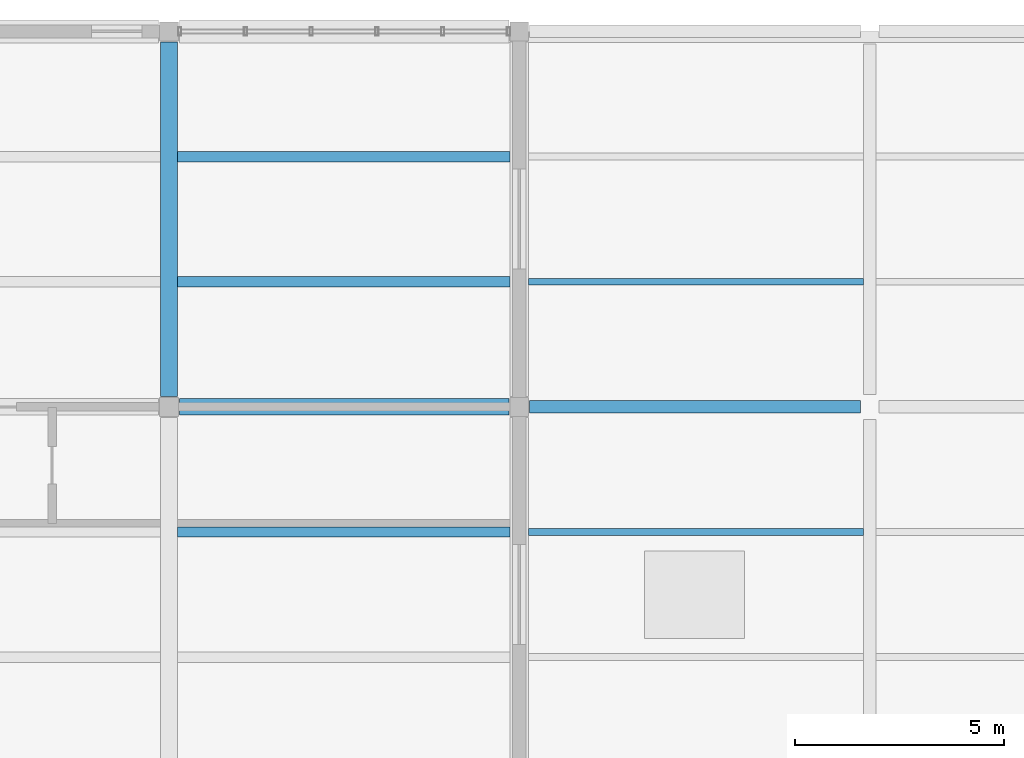
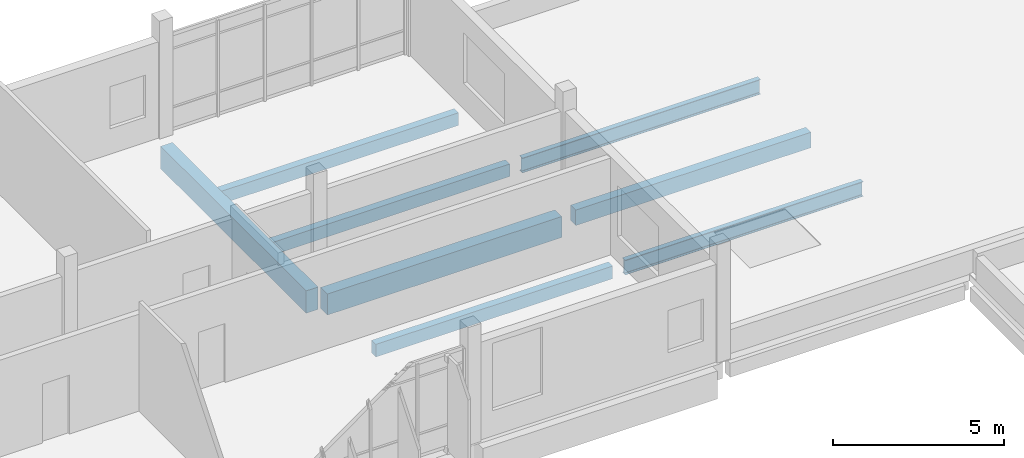
# One storey, part 40 of 62: 8 beams.
"""IFC4 building model written with IfcOpenShell, lengths in metres."""

from ifc_helpers import new_model, si_unit, direction, frame, origin, origin_2d, place, context, subcontext, project, spatial, rectangle, i_section, extrude, material, material_profile, profile_set, type_object, element, save


model = new_model("IFC4")

# Units and contexts
model_context = context("Model", 3, precision=1e-05, world=origin(), true_north=direction((0.0, 1.0)))
body_context = subcontext(model_context, "Body", "Model", "MODEL_VIEW")
ifc_project = project(units=[si_unit("LENGTHUNIT", "METRE"), si_unit("AREAUNIT", "SQUARE_METRE"), si_unit("VOLUMEUNIT", "CUBIC_METRE"), si_unit("PLANEANGLEUNIT", "RADIAN"), si_unit("MASSUNIT", "GRAM", prefix="KILO")], contexts=[model_context])

# Site, building, storey
site_placement = place(None, origin())
site = spatial("IfcSite", under=ifc_project, at=site_placement, CompositionType="ELEMENT")
building_placement = place(site_placement, origin())
building = spatial("IfcBuilding", under=site, at=building_placement, Name="Vireocrest Preparatory School", CompositionType="ELEMENT")
storey_placement = place(building_placement, frame((0.0, 0.0, 17.39990234375)))
storey = spatial("IfcBuildingStorey", under=building, at=storey_placement, Name="L04", CompositionType="ELEMENT", Elevation=17.39990234375)

# Beams
ifc_material_1 = material(Name="Structural steel ASTM A992 Grade 50", Category="steel")
ifc_material_profile_1 = material_profile(ifc_material_1, i_section(OverallWidth=0.166015625, OverallDepth=0.529052734375, WebThickness=0.009765625, FlangeThickness=0.013671875, FilletRadius=0.014892578125, at=origin_2d()), Name="W21X50")
ifc_profile_set_1 = profile_set([ifc_material_profile_1], Name="Structural steel ASTM A992 Grade 50")
beam_type_1 = type_object("IfcBeamType", Name="Pavilion Roof Joist W21X50", PredefinedType="JOIST", material=ifc_profile_set_1)
for number, where, z_axis, x_axis, name in (
    (1, (84.22509765625, 100.800048828125, -0.484375), (1.0, 0.0, 0.0), (0.0, 1.0, 0.0), "Secondary Joist SJ1 L04-1478"),
    (2, (84.22509765625, 106.800048828125, -0.484375), (1.0, 0.0, 0.0), (0.0, 1.0, 0.0), "Secondary Joist SJ1 L04-1479"),
):
    element("IfcBeam", number, at=place(storey_placement, frame(where, z_axis=z_axis, x_axis=x_axis)), inside=storey, type_object=beam_type_1, Name=name, PredefinedType="JOIST", context=body_context, shape_type="SweptSolid", body=[
        extrude(i_section(OverallWidth=0.166015625, OverallDepth=0.529052734375, WebThickness=0.009765625, FlangeThickness=0.013671875, FilletRadius=0.014892578125, at=origin_2d()), origin(), (0.0, 0.0, 1.0), 8.02490234375),
    ])
ifc_material_2 = material(Name="Concrete 40 MPa", Category="concrete")
ifc_material_profile_2 = material_profile(ifc_material_2, rectangle(XDim=0.39990234375, YDim=0.75, at=origin_2d()), Name="RC 400x750")
ifc_profile_set_2 = profile_set([ifc_material_profile_2], Name="Concrete 40 MPa")
beam_type_2 = type_object("IfcBeamType", Name="RC Commons Girder 400x750", PredefinedType="BEAM", material=ifc_profile_set_2)
beam_1_placement = place(storey_placement, frame((75.85009765625, 103.800048828125, -0.614990234375), z_axis=(1.0, 0.0, 0.0), x_axis=(0.0, 1.0, 0.0)))
element("IfcBeam", 3, at=beam_1_placement, inside=storey, type_object=beam_type_2, Name="Primary Girder B09 L04-1339", PredefinedType="BEAM", context=body_context, shape_type="SweptSolid", body=[
    extrude(rectangle(XDim=0.39990234375, YDim=0.75, at=origin_2d()), origin(), (0.0, 0.0, 1.0), 7.89990234375),
])
ifc_material_profile_3 = material_profile(ifc_material_2, rectangle(XDim=0.39990234375, YDim=0.800048828125, at=origin_2d()), Name="RC 400x800")
ifc_profile_set_3 = profile_set([ifc_material_profile_3], Name="Concrete 40 MPa")
beam_type_3 = type_object("IfcBeamType", Name="RC Library Reading Girder 400x800", PredefinedType="BEAM", material=ifc_profile_set_3)
beam_2_placement = place(storey_placement, frame((75.60009765625, 104.050048828125, -0.639892578125), z_axis=(0.0, 1.0, 0.0), x_axis=(-1.0, 0.0, 0.0)))
element("IfcBeam", 4, at=beam_2_placement, inside=storey, type_object=beam_type_3, Name="Primary Girder B10 L04-1389", PredefinedType="BEAM", context=body_context, shape_type="SweptSolid", body=[
    extrude(rectangle(XDim=0.39990234375, YDim=0.800048828125, at=origin_2d()), origin(), (0.0, 0.0, 1.0), 8.5),
])
ifc_material_profile_4 = material_profile(ifc_material_2, rectangle(XDim=0.300048828125, YDim=0.550048828125, at=origin_2d()), Name="RC 300x550")
ifc_profile_set_4 = profile_set([ifc_material_profile_4], Name="Concrete 40 MPa")
beam_type_4 = type_object("IfcBeamType", Name="RC Roof Girder 300x550", PredefinedType="BEAM", material=ifc_profile_set_4)
beam_3_placement = place(storey_placement, frame((84.25, 103.800048828125, -0.494873046875), z_axis=(1.0, 0.0, 0.0), x_axis=(0.0, 1.0, 0.0)))
element("IfcBeam", 5, at=beam_3_placement, inside=storey, type_object=beam_type_4, Name="Primary Girder B02 L04-1340", PredefinedType="BEAM", context=body_context, shape_type="SweptSolid", body=[
    extrude(rectangle(XDim=0.300048828125, YDim=0.550048828125, at=origin_2d()), origin(), (0.0, 0.0, 1.0), 7.925048828125),
])
ifc_material_profile_5 = material_profile(ifc_material_2, rectangle(XDim=0.25, YDim=0.449951171875, at=origin_2d()), Name="RC 250x450")
ifc_profile_set_5 = profile_set([ifc_material_profile_5], Name="Concrete 40 MPa")
beam_type_5 = type_object("IfcBeamType", Name="RC Secondary Floor Joist 250x450", PredefinedType="JOIST", material=ifc_profile_set_5)
for number, where, z_axis, x_axis, name in (
    (6, (75.800048828125, 100.800048828125, -0.46484375), (1.0, 0.0, 0.0), (0.0, 1.0, 0.0), "Secondary Joist J01 L04-1474"),
    (7, (75.800048828125, 106.800048828125, -0.46484375), (1.0, 0.0, 0.0), (0.0, 1.0, 0.0), "Secondary Joist J01 L04-1475"),
    (8, (75.800048828125, 109.800048828125, -0.46484375), (1.0, 0.0, 0.0), (0.0, 1.0, 0.0), "Secondary Joist J01 L04-1476"),
):
    element("IfcBeam", number, at=place(storey_placement, frame(where, z_axis=z_axis, x_axis=x_axis)), inside=storey, type_object=beam_type_5, Name=name, PredefinedType="JOIST", context=body_context, shape_type="SweptSolid", body=[
        extrude(rectangle(XDim=0.25, YDim=0.449951171875, at=origin_2d()), origin(), (0.0, 0.0, 1.0), 7.974853515625),
    ])

save(model, "model.ifc")
